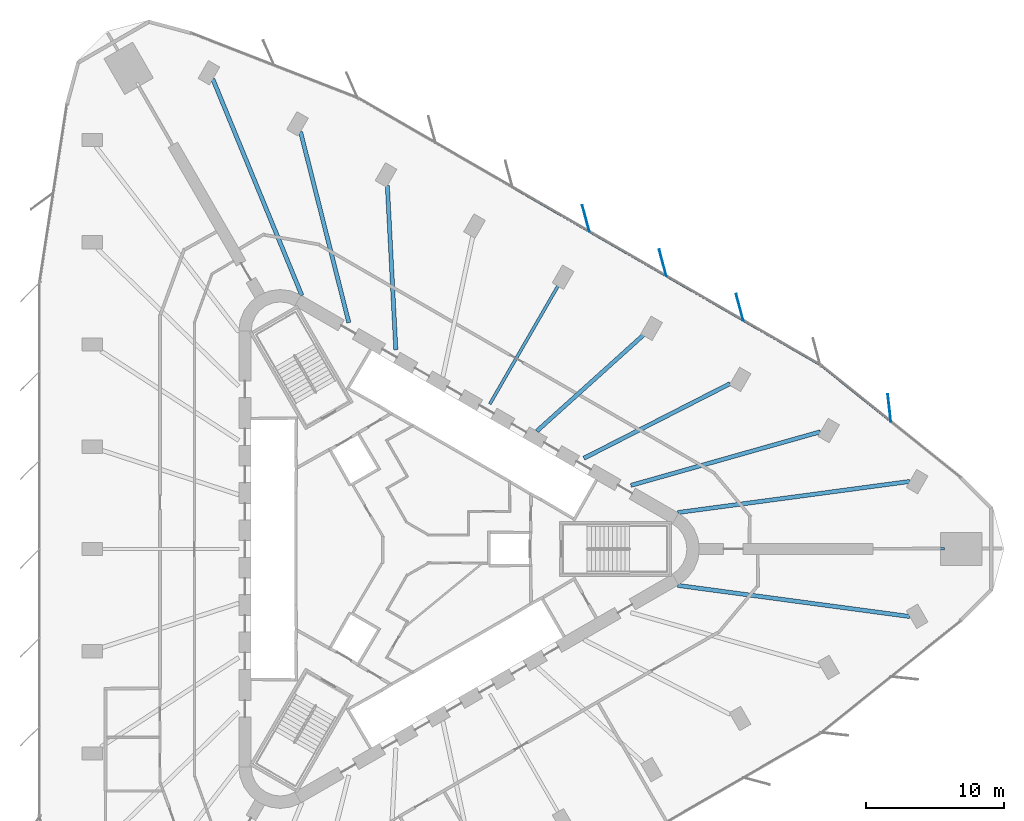
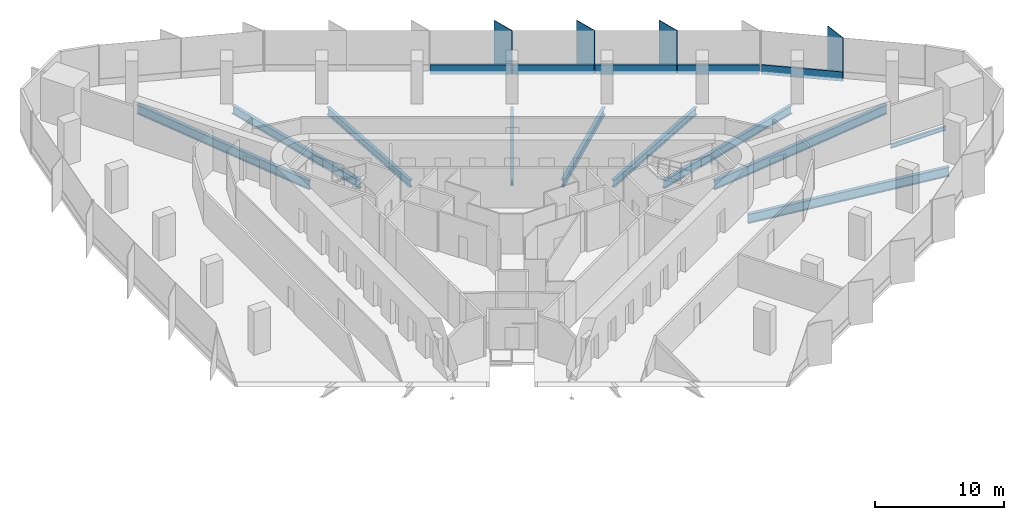
# One storey, part 5 of 15: 10 beams, 9 members, 2 elements without a shape of their own.
"""IFC4 building model written with IfcOpenShell, lengths in metres."""

from ifc_helpers import new_model, si_unit, direction, frame, origin, origin_2d, place, context, subcontext, project, spatial, rectangle, i_section, extrude, material, material_profile, profile_set, type_object, element, aggregate, save


model = new_model("IFC4")

# Units and contexts
model_context = context("Model", 3, precision=1e-05, world=origin(), true_north=direction((0.0, 1.0)))
body_context = subcontext(model_context, "Body", "Model", "MODEL_VIEW")
ifc_project = project(units=[si_unit("LENGTHUNIT", "METRE"), si_unit("AREAUNIT", "SQUARE_METRE"), si_unit("VOLUMEUNIT", "CUBIC_METRE"), si_unit("PLANEANGLEUNIT", "RADIAN"), si_unit("MASSUNIT", "GRAM", prefix="KILO")], contexts=[model_context])

# Site, building, storey
site_placement = place(None, origin())
site = spatial("IfcSite", under=ifc_project, at=site_placement, CompositionType="ELEMENT")
building_placement = place(site_placement, origin())
building = spatial("IfcBuilding", under=site, at=building_placement, Name="Tanit Gate Tower", CompositionType="ELEMENT")
storey_placement = place(building_placement, frame((0.0, 0.0, 131.60009765625)))
storey = spatial("IfcBuildingStorey", under=building, at=storey_placement, Name="L28", CompositionType="ELEMENT", Elevation=131.60009765625)

# Curtain wall, member
ifc_material_1 = material(Name="Aluminium bronze anodised and glass", Category="aluminium")
curtain_wall_type = type_object("IfcCurtainWallType", Name="Curtain wall typical low", PredefinedType="NOTDEFINED", material=ifc_material_1)
curtain_wall_1_placement = place(storey_placement, origin())
curtain_wall_1 = element("IfcCurtainWall", 1, at=curtain_wall_1_placement, inside=storey, type_object=curtain_wall_type, Name="Curtain wall L28 NE1", PredefinedType="NOTDEFINED")
ifc_material_2 = material(Name="Aluminium bronze anodised", Category="aluminium")
ifc_material_profile_1 = material_profile(ifc_material_2, rectangle(XDim=2.0, YDim=0.055908203125, at=origin_2d()), Name="56x2000 bronze fin mullion")
ifc_profile_set_1 = profile_set([ifc_material_profile_1], Name="Aluminium bronze anodised")
member_type_1 = type_object("IfcMemberType", Name="FIN MULLION 56x2000 bronze", PredefinedType="MULLION", material=ifc_profile_set_1)
member_1_placement = place(storey_placement, frame((34.93798828125, 10.1962890625, -0.300048828125), z_axis=(0.0, 0.0, 1.0), x_axis=(0.109185281968, -0.994021415364, 0.0)))
member_1 = element("IfcMember", 2, at=member_1_placement, type_object=member_type_1, Name="Fin mullion L28 NE1.2", PredefinedType="MULLION", context=body_context, shape_type="SweptSolid", body=[
    extrude(rectangle(XDim=2.0, YDim=0.055908203125, at=origin_2d()), origin(), (0.0, 0.0, 1.0), 4.099853515625),
])

# Curtain wall, members
curtain_wall_2_placement = place(storey_placement, origin())
curtain_wall_2 = element("IfcCurtainWall", 3, at=curtain_wall_2_placement, inside=storey, type_object=curtain_wall_type, Name="Curtain wall L28 NE2", PredefinedType="NOTDEFINED")
member_2_placement = place(storey_placement, frame((24.120361328125, 17.47119140625, -0.300048828125), z_axis=(0.0, 0.0, 1.0), x_axis=(0.25875206837, -0.965943770162, 0.0)))
member_2 = element("IfcMember", 4, at=member_2_placement, type_object=member_type_1, Name="Fin mullion L28 NE2.2", PredefinedType="MULLION", context=body_context, shape_type="SweptSolid", body=[
    extrude(rectangle(XDim=2.0, YDim=0.055908203125, at=origin_2d()), origin(), (0.0, 0.0, 1.0), 4.099853515625),
])
member_3_placement = place(storey_placement, frame((18.558837890625, 20.6826171875, -0.300048828125), z_axis=(0.0, 0.0, 1.0), x_axis=(0.25875206837, -0.965943770162, 0.0)))
member_3 = element("IfcMember", 5, at=member_3_placement, type_object=member_type_1, Name="Fin mullion L28 NE2.3", PredefinedType="MULLION", context=body_context, shape_type="SweptSolid", body=[
    extrude(rectangle(XDim=2.0, YDim=0.055908203125, at=origin_2d()), origin(), (0.0, 0.0, 1.0), 4.099853515625),
])
member_4_placement = place(storey_placement, frame((12.997314453125, 23.89404296875, -0.300048828125), z_axis=(0.0, 0.0, 1.0), x_axis=(0.25875206837, -0.965943770162, 0.0)))
member_4 = element("IfcMember", 6, at=member_4_placement, type_object=member_type_1, Name="Fin mullion L28 NE2.4", PredefinedType="MULLION", context=body_context, shape_type="SweptSolid", body=[
    extrude(rectangle(XDim=2.0, YDim=0.055908203125, at=origin_2d()), origin(), (0.0, 0.0, 1.0), 4.099853515625),
])

# Beams
ifc_material_3 = material(Name="Steel S355", Category="steel")
ifc_material_profile_2 = material_profile(ifc_material_3, i_section(OverallWidth=0.300048828125, OverallDepth=0.68994140625, WebThickness=0.014404296875, FlangeThickness=0.027099609375, FilletRadius=0.027099609375, at=origin_2d()), Name="HEA 700")
ifc_profile_set_2 = profile_set([ifc_material_profile_2], Name="Steel S355")
beam_type_1 = type_object("IfcBeamType", Name="RADIAL GIRDER HEA 700 S355", PredefinedType="BEAM", material=ifc_profile_set_2)
beam_1_placement = place(storey_placement, frame((23.4248046875, 11.95703125, -0.64501953125), z_axis=(-0.890679829273, -0.454631105101, 0.0), x_axis=(0.454631105101, -0.890679829273, 0.0)))
element("IfcBeam", 7, at=beam_1_placement, inside=storey, type_object=beam_type_1, Name="RADIAL GIRDER", PredefinedType="BEAM", context=body_context, shape_type="SweptSolid", body=[
    extrude(i_section(OverallWidth=0.300048828125, OverallDepth=0.68994140625, WebThickness=0.014404296875, FlangeThickness=0.027099609375, FilletRadius=0.027099609375, at=origin_2d()), origin(), (0.0, 0.0, 1.0), 11.876953125),
])
beam_2_placement = place(storey_placement, frame((17.2158203125, 15.52197265625, -0.64501953125), z_axis=(-0.742697199344, -0.669627411391, 0.0), x_axis=(0.669627411391, -0.742697199344, 0.0)))
element("IfcBeam", 8, at=beam_2_placement, inside=storey, type_object=beam_type_1, Name="RADIAL GIRDER", PredefinedType="BEAM", context=body_context, shape_type="SweptSolid", body=[
    extrude(i_section(OverallWidth=0.300048828125, OverallDepth=0.68994140625, WebThickness=0.014404296875, FlangeThickness=0.027099609375, FilletRadius=0.027099609375, at=origin_2d()), origin(), (0.0, 0.0, 1.0), 10.4580078125),
])
beam_3_placement = place(storey_placement, frame((-1.357177734375, 26.264892578125, -0.64501953125), z_axis=(0.051595349466, -0.998668072942, 0.0), x_axis=(0.998668072942, 0.051595349466, 0.0)))
element("IfcBeam", 9, at=beam_3_placement, inside=storey, type_object=beam_type_1, Name="RADIAL GIRDER", PredefinedType="BEAM", context=body_context, shape_type="SweptSolid", body=[
    extrude(i_section(OverallWidth=0.300048828125, OverallDepth=0.68994140625, WebThickness=0.014404296875, FlangeThickness=0.027099609375, FilletRadius=0.027099609375, at=origin_2d()), origin(), (0.0, 0.0, 1.0), 11.876953125),
])
ifc_material_4 = material(Name="Steel S355", Category="steel")
ifc_material_profile_3 = material_profile(ifc_material_4, i_section(OverallWidth=0.300048828125, OverallDepth=0.7900390625, WebThickness=0.014892578125, FlangeThickness=0.028076171875, FilletRadius=0.030029296875, at=origin_2d()), Name="HEA 800")
ifc_profile_set_3 = profile_set([ifc_material_profile_3], Name="Steel S355")
beam_type_2 = type_object("IfcBeamType", Name="RADIAL GIRDER HEA 800 S355", PredefinedType="BEAM", material=ifc_profile_set_3)
for number, where, z_axis, x_axis, name in (
    (10, (29.947998046875, 8.472900390625, -0.695068359375), (-0.962230365489, -0.272236521669, 0.0), (0.272236521669, -0.962230365489, 0.0), "RADIAL GIRDER"),
    (11, (-7.63623046875, 30.172119140625, -0.695068359375), (0.245341928532, -0.969436608605, 0.0), (0.969436608605, 0.245341928532, 0.0), "RADIAL GIRDER"),
):
    element("IfcBeam", number, at=place(storey_placement, frame(where, z_axis=z_axis, x_axis=x_axis)), inside=storey, type_object=beam_type_2, Name=name, PredefinedType="BEAM", context=body_context, shape_type="SweptSolid", body=[
        extrude(i_section(OverallWidth=0.300048828125, OverallDepth=0.7900390625, WebThickness=0.014892578125, FlangeThickness=0.028076171875, FilletRadius=0.030029296875, at=origin_2d()), origin(), (0.0, 0.0, 1.0), 14.241943359375),
    ])
ifc_material_5 = material(Name="Steel S355", Category="steel")
ifc_material_profile_4 = material_profile(ifc_material_5, i_section(OverallWidth=0.300048828125, OverallDepth=0.889892578125, WebThickness=0.01611328125, FlangeThickness=0.030029296875, FilletRadius=0.030029296875, at=origin_2d()), Name="HEA 900")
ifc_profile_set_4 = profile_set([ifc_material_profile_4], Name="Steel S355")
beam_type_3 = type_object("IfcBeamType", Name="RADIAL GIRDER HEA 900 S355", PredefinedType="BEAM", material=ifc_profile_set_4)
for number, where, z_axis, x_axis, name in (
    (12, (36.410400390625, -4.8828125, -0.7451171875), (-0.991127424738, 0.132915115517, 0.0), (-0.132915115517, -0.991127424738, 0.0), "RADIAL GIRDER"),
    (13, (36.410400390625, 4.8828125, -0.7451171875), (-0.991127424738, -0.132915115517, 0.0), (0.132915115517, -0.991127424738, 0.0), "RADIAL GIRDER"),
):
    element("IfcBeam", number, at=place(storey_placement, frame(where, z_axis=z_axis, x_axis=x_axis)), inside=storey, type_object=beam_type_3, Name=name, PredefinedType="BEAM", context=body_context, shape_type="SweptSolid", body=[
        extrude(i_section(OverallWidth=0.300048828125, OverallDepth=0.889892578125, WebThickness=0.01611328125, FlangeThickness=0.030029296875, FilletRadius=0.030029296875, at=origin_2d()), origin(), (0.0, 0.0, 1.0), 16.9189453125),
    ])
beam_4_placement = place(storey_placement, frame((-13.976318359375, 33.9736328125, -0.7451171875), z_axis=(0.380451490729, -0.924800877596, 0.0), x_axis=(0.924800877596, 0.380451490729, 0.0)))
element("IfcBeam", 14, at=beam_4_placement, inside=storey, type_object=beam_type_3, Name="RADIAL GIRDER", PredefinedType="BEAM", context=body_context, shape_type="SweptSolid", body=[
    extrude(i_section(OverallWidth=0.300048828125, OverallDepth=0.889892578125, WebThickness=0.01611328125, FlangeThickness=0.030029296875, FilletRadius=0.030029296875, at=origin_2d()), origin(), (0.0, 0.0, 1.0), 16.918701171875),
])
ifc_material_6 = material(Name="Steel S355", Category="steel")
ifc_material_profile_5 = material_profile(ifc_material_6, i_section(OverallWidth=0.179931640625, OverallDepth=0.39990234375, WebThickness=0.008544921875, FlangeThickness=0.013427734375, FilletRadius=0.02099609375, at=origin_2d()), Name="IPE 400")
ifc_profile_set_5 = profile_set([ifc_material_profile_5], Name="Steel S355")
beam_type_4 = type_object("IfcBeamType", Name="RADIAL GIRDER IPE 400 S355", PredefinedType="BEAM", material=ifc_profile_set_5)
beam_5_placement = place(storey_placement, frame((38.92529296875, 0.0, -0.5), z_axis=(-1.0, 0.0, 0.0), x_axis=(0.0, -1.0, 0.0)))
element("IfcBeam", 15, at=beam_5_placement, inside=storey, type_object=beam_type_4, Name="RADIAL GIRDER", PredefinedType="BEAM", context=body_context, shape_type="SweptSolid", body=[
    extrude(i_section(OverallWidth=0.179931640625, OverallDepth=0.39990234375, WebThickness=0.008544921875, FlangeThickness=0.013427734375, FilletRadius=0.02099609375, at=origin_2d()), origin(), (0.0, 0.0, 1.0), 4.962890625),
])
ifc_material_7 = material(Name="Steel S355", Category="steel")
ifc_material_profile_6 = material_profile(ifc_material_7, i_section(OverallWidth=0.219970703125, OverallDepth=0.60009765625, WebThickness=0.011962890625, FlangeThickness=0.01904296875, FilletRadius=0.02392578125, at=origin_2d()), Name="IPE 600")
ifc_profile_set_6 = profile_set([ifc_material_profile_6], Name="Steel S355")
beam_type_5 = type_object("IfcBeamType", Name="RADIAL GIRDER IPE 600 S355", PredefinedType="BEAM", material=ifc_profile_set_6)
beam_6_placement = place(storey_placement, frame((11.025146484375, 19.095947265625, -0.60009765625), z_axis=(-0.500008534912, -0.866020476095, 0.0), x_axis=(0.866020476095, -0.500008534912, 0.0)))
element("IfcBeam", 16, at=beam_6_placement, inside=storey, type_object=beam_type_5, Name="RADIAL GIRDER", PredefinedType="BEAM", context=body_context, shape_type="SweptSolid", body=[
    extrude(i_section(OverallWidth=0.219970703125, OverallDepth=0.60009765625, WebThickness=0.011962890625, FlangeThickness=0.01904296875, FilletRadius=0.02392578125, at=origin_2d()), origin(), (0.0, 0.0, 1.0), 9.947998046875),
])

# Member
ifc_material_8 = material(Name="Aluminium bronze anodised", Category="aluminium")
ifc_material_profile_7 = material_profile(ifc_material_8, rectangle(XDim=0.159912109375, YDim=0.89990234375, at=origin_2d()), Name="160x900 bronze transom")
ifc_profile_set_7 = profile_set([ifc_material_profile_7], Name="Aluminium bronze anodised")
member_type_2 = type_object("IfcMemberType", Name="Transom 160x900 typical low", PredefinedType="USERDEFINED", material=ifc_profile_set_7)
member_5_placement = place(storey_placement, frame((35.013671875, 9.25, 0.14990234375), z_axis=(-0.780099910246, 0.625654960849, 0.0), x_axis=(-0.625654960849, -0.780099910246, 0.0)))
member_5 = element("IfcMember", 17, at=member_5_placement, type_object=member_type_2, Name="Transom L28 NE1.2", ObjectType="TRANSOM", PredefinedType="USERDEFINED", context=body_context, shape_type="SweptSolid", body=[
    extrude(rectangle(XDim=0.159912109375, YDim=0.89990234375, at=origin_2d()), origin(), (0.0, 0.0, 1.0), 6.38623046875),
])

aggregate(curtain_wall_1, [member_1, member_5])

member_6_placement = place(storey_placement, frame((29.900146484375, 13.335693359375, 0.14990234375), z_axis=(-0.865993258402, 0.500055673304, 0.0), x_axis=(-0.500055673304, -0.865993258402, 0.0)))
member_6 = element("IfcMember", 18, at=member_6_placement, type_object=member_type_2, Name="Transom L28 NE2.1", ObjectType="TRANSOM", PredefinedType="USERDEFINED", context=body_context, shape_type="SweptSolid", body=[
    extrude(rectangle(XDim=0.159912109375, YDim=0.89990234375, at=origin_2d()), origin(), (0.0, 0.0, 1.0), 6.342041015625),
])

member_7_placement = place(storey_placement, frame((24.338623046875, 16.547119140625, 0.14990234375), z_axis=(-0.865993258402, 0.500055673304, 0.0), x_axis=(-0.500055673304, -0.865993258402, 0.0)))
member_7 = element("IfcMember", 19, at=member_7_placement, type_object=member_type_2, Name="Transom L28 NE2.2", ObjectType="TRANSOM", PredefinedType="USERDEFINED", context=body_context, shape_type="SweptSolid", body=[
    extrude(rectangle(XDim=0.159912109375, YDim=0.89990234375, at=origin_2d()), origin(), (0.0, 0.0, 1.0), 6.342041015625),
])

member_8_placement = place(storey_placement, frame((18.777099609375, 19.758544921875, 0.14990234375), z_axis=(-0.865993258402, 0.500055673304, 0.0), x_axis=(-0.500055673304, -0.865993258402, 0.0)))
member_8 = element("IfcMember", 20, at=member_8_placement, type_object=member_type_2, Name="Transom L28 NE2.3", ObjectType="TRANSOM", PredefinedType="USERDEFINED", context=body_context, shape_type="SweptSolid", body=[
    extrude(rectangle(XDim=0.159912109375, YDim=0.89990234375, at=origin_2d()), origin(), (0.0, 0.0, 1.0), 6.342041015625),
])

member_9_placement = place(storey_placement, frame((13.215576171875, 22.969970703125, 0.14990234375), z_axis=(-0.865993258402, 0.500055673304, 0.0), x_axis=(-0.500055673304, -0.865993258402, 0.0)))
member_9 = element("IfcMember", 21, at=member_9_placement, type_object=member_type_2, Name="Transom L28 NE2.4", ObjectType="TRANSOM", PredefinedType="USERDEFINED", context=body_context, shape_type="SweptSolid", body=[
    extrude(rectangle(XDim=0.159912109375, YDim=0.89990234375, at=origin_2d()), origin(), (0.0, 0.0, 1.0), 6.342041015625),
])

aggregate(curtain_wall_2, [member_2, member_3, member_4, member_6, member_7, member_8, member_9])

save(model, "model.ifc")
